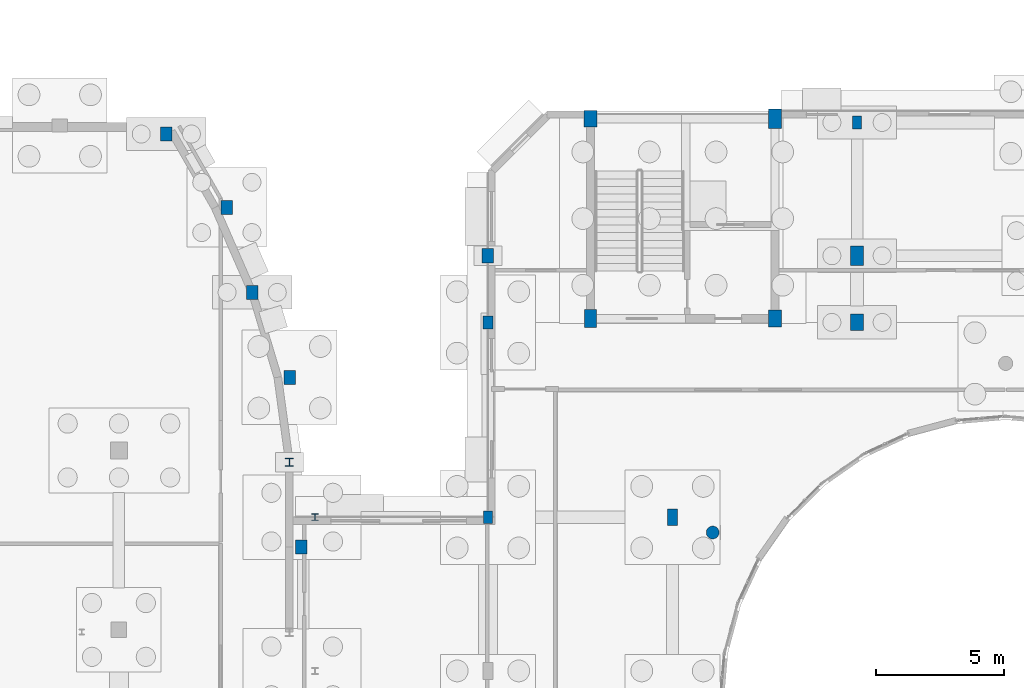
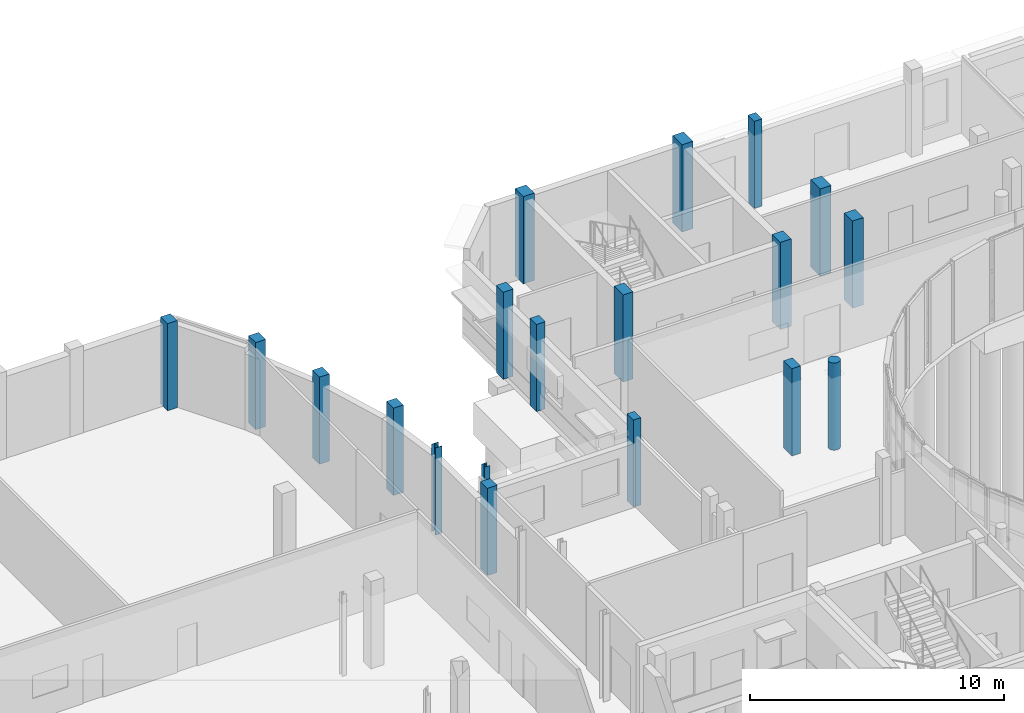
# One storey, part 19 of 93: 19 columns.
"""IFC4 building model written with IfcOpenShell, lengths in metres."""

from ifc_helpers import new_model, si_unit, direction, frame, origin, origin_2d, place, context, subcontext, project, spatial, rectangle, circle, i_section, extrude, material, material_profile, profile_set, type_object, element, save


model = new_model("IFC4")

# Units and contexts
model_context = context("Model", 3, precision=1e-05, world=origin(), true_north=direction((0.0, 1.0)))
body_context = subcontext(model_context, "Body", "Model", "MODEL_VIEW")
ifc_project = project(units=[si_unit("LENGTHUNIT", "METRE"), si_unit("AREAUNIT", "SQUARE_METRE"), si_unit("VOLUMEUNIT", "CUBIC_METRE"), si_unit("PLANEANGLEUNIT", "RADIAN"), si_unit("MASSUNIT", "GRAM", prefix="KILO")], contexts=[model_context])

# Site, building, storey
site_placement = place(None, origin())
site = spatial("IfcSite", under=ifc_project, at=site_placement, CompositionType="ELEMENT")
building_placement = place(site_placement, origin())
building = spatial("IfcBuilding", under=site, at=building_placement, Name="Kelanivale Promenade Academy", CompositionType="ELEMENT")
storey_placement = place(building_placement, origin())
storey = spatial("IfcBuildingStorey", under=building, at=storey_placement, Name="L00", CompositionType="ELEMENT", Elevation=0.0)

# Columns
ifc_material_1 = material(Name="Concrete C40/50", Category="concrete")
ifc_material_profile_1 = material_profile(ifc_material_1, rectangle(XDim=0.39990234375, YDim=0.64990234375, at=origin_2d()), Name="RC-COL 400x650")
ifc_profile_set_1 = profile_set([ifc_material_profile_1], Name="Concrete C40/50")
column_type_1 = type_object("IfcColumnType", Name="C-08 RC-COL 400x650", PredefinedType="COLUMN", material=ifc_profile_set_1)
column_1_placement = place(storey_placement, frame((50.39990234375, 64.0, 0.0), z_axis=(0.0, 0.0, 1.0), x_axis=(1.0, 0.0, 0.0)))
element("IfcColumn", 1, at=column_1_placement, inside=storey, type_object=column_type_1, Name="Column C-08 at (50.4, 64.0) L00", PredefinedType="COLUMN", context=body_context, shape_type="SweptSolid", body=[
    extrude(rectangle(XDim=0.39990234375, YDim=0.64990234375, at=origin_2d()), origin(), (0.0, 0.0, 1.0), 4.199951171875),
])
ifc_material_profile_2 = material_profile(ifc_material_1, rectangle(XDim=0.449951171875, YDim=0.699951171875, at=origin_2d()), Name="RC-COL 450x700")
ifc_profile_set_2 = profile_set([ifc_material_profile_2], Name="Concrete C40/50")
column_type_2 = type_object("IfcColumnType", Name="C-10 RC-COL 450x700", PredefinedType="COLUMN", material=ifc_profile_set_2)
column_2_placement = place(storey_placement, frame((47.199951171875, 71.75, 0.0), z_axis=(0.0, 0.0, 1.0), x_axis=(1.0, 0.0, 0.0)))
element("IfcColumn", 2, at=column_2_placement, inside=storey, type_object=column_type_2, Name="Column C-10 at (47.2, 71.8) L00", PredefinedType="COLUMN", context=body_context, shape_type="SweptSolid", body=[
    extrude(rectangle(XDim=0.449951171875, YDim=0.699951171875, at=origin_2d()), origin(), (0.0, 0.0, 1.0), 4.199951171875),
])
ifc_material_profile_3 = material_profile(ifc_material_1, rectangle(XDim=0.5, YDim=0.64990234375, at=origin_2d()), Name="RC-COL 500x650")
ifc_profile_set_3 = profile_set([ifc_material_profile_3], Name="Concrete C40/50")
column_type_3 = type_object("IfcColumnType", Name="C-11 RC-COL 500x650", PredefinedType="COLUMN", material=ifc_profile_set_3)
for number, where, z_axis, x_axis, name in (
    (3, (47.199951171875, 79.550048828125, 0.0), (0.0, 0.0, 1.0), (1.0, 0.0, 0.0), "Column C-11 at (47.2, 79.5) L00"),
    (4, (54.39990234375, 71.75, 0.0), (0.0, 0.0, 1.0), (1.0, 0.0, 0.0), "Column C-11 at (54.4, 71.8) L00"),
    (5, (57.60009765625, 71.60009765625, 0.0), (0.0, 0.0, 1.0), (1.0, 0.0, 0.0), "Column C-11 at (57.6, 71.6) L00"),
):
    element("IfcColumn", number, at=place(storey_placement, frame(where, z_axis=z_axis, x_axis=x_axis)), inside=storey, type_object=column_type_3, Name=name, PredefinedType="COLUMN", context=body_context, shape_type="SweptSolid", body=[
        extrude(rectangle(XDim=0.5, YDim=0.64990234375, at=origin_2d()), origin(), (0.0, 0.0, 1.0), 4.199951171875),
    ])
ifc_material_profile_4 = material_profile(ifc_material_1, rectangle(XDim=0.5, YDim=0.75, at=origin_2d()), Name="RC-COL 500x750")
ifc_profile_set_4 = profile_set([ifc_material_profile_4], Name="Concrete C40/50")
column_type_4 = type_object("IfcColumnType", Name="C-12 RC-COL 500x750", PredefinedType="COLUMN", material=ifc_profile_set_4)
for number, where, z_axis, x_axis, name in (
    (6, (54.39990234375, 79.550048828125, 0.0), (0.0, 0.0, 1.0), (1.0, 0.0, 0.0), "Column C-12 at (54.4, 79.5) L00"),
    (7, (57.60009765625, 74.199951171875, 0.0), (0.0, 0.0, 1.0), (1.0, 0.0, 0.0), "Column C-12 at (57.6, 74.2) L00"),
):
    element("IfcColumn", number, at=place(storey_placement, frame(where, z_axis=z_axis, x_axis=x_axis)), inside=storey, type_object=column_type_4, Name=name, PredefinedType="COLUMN", context=body_context, shape_type="SweptSolid", body=[
        extrude(rectangle(XDim=0.5, YDim=0.75, at=origin_2d()), origin(), (0.0, 0.0, 1.0), 4.199951171875),
    ])
ifc_material_profile_5 = material_profile(ifc_material_1, circle(Radius=0.25, at=origin_2d()), Name="RC-COL D500")
ifc_profile_set_5 = profile_set([ifc_material_profile_5], Name="Concrete C40/50")
column_type_5 = type_object("IfcColumnType", Name="CC-20 RC-COL D500", PredefinedType="COLUMN", material=ifc_profile_set_5)
column_3_placement = place(storey_placement, frame((51.968017578125, 63.39990234375, 0.0), z_axis=(0.0, 0.0, 1.0), x_axis=(1.0, 0.0, 0.0)))
element("IfcColumn", 8, at=column_3_placement, inside=storey, type_object=column_type_5, Name="Column CC-20 at (52.0, 63.4) L00", PredefinedType="COLUMN", context=body_context, shape_type="SweptSolid", body=[
    extrude(circle(Radius=0.25, at=origin_2d()), origin(), (0.0, 0.0, 1.0), 4.199951171875),
])
ifc_material_profile_6 = material_profile(ifc_material_1, rectangle(XDim=0.35009765625, YDim=0.5, at=origin_2d()), Name="RC-PIL 350x500")
ifc_profile_set_6 = profile_set([ifc_material_profile_6], Name="Concrete C40/50")
column_type_6 = type_object("IfcColumnType", Name="PL-15 RC-PIL 350x500", PredefinedType="PILASTER", material=ifc_profile_set_6)
for number, where, z_axis, x_axis, name in (
    (9, (43.199951171875, 64.0, 0.0), (0.0, 0.0, 1.0), (1.0, 0.0, 0.0), "Column PL-15 at (43.2, 64.0) L00"),
    (10, (57.60009765625, 79.39990234375, 0.0), (0.0, 0.0, 1.0), (1.0, 0.0, 0.0), "Column PL-15 at (57.6, 79.4) L00"),
):
    element("IfcColumn", number, at=place(storey_placement, frame(where, z_axis=z_axis, x_axis=x_axis)), inside=storey, type_object=column_type_6, Name=name, PredefinedType="PILASTER", context=body_context, shape_type="SweptSolid", body=[
        extrude(rectangle(XDim=0.35009765625, YDim=0.5, at=origin_2d()), origin(), (0.0, 0.0, 1.0), 4.199951171875),
    ])
ifc_material_profile_7 = material_profile(ifc_material_1, rectangle(XDim=0.39990234375, YDim=0.5, at=origin_2d()), Name="RC-PIL 400x500")
ifc_profile_set_7 = profile_set([ifc_material_profile_7], Name="Concrete C40/50")
column_type_7 = type_object("IfcColumnType", Name="PL-16 RC-PIL 400x500", PredefinedType="PILASTER", material=ifc_profile_set_7)
column_4_placement = place(storey_placement, frame((43.199951171875, 71.60009765625, 0.0), z_axis=(0.0, 0.0, 1.0), x_axis=(1.0, 0.0, 0.0)))
element("IfcColumn", 11, at=column_4_placement, inside=storey, type_object=column_type_7, Name="Column PL-16 at (43.2, 71.6) L00", PredefinedType="PILASTER", context=body_context, shape_type="SweptSolid", body=[
    extrude(rectangle(XDim=0.39990234375, YDim=0.5, at=origin_2d()), origin(), (0.0, 0.0, 1.0), 4.199951171875),
])
ifc_material_profile_8 = material_profile(ifc_material_1, rectangle(XDim=0.449951171875, YDim=0.550048828125, at=origin_2d()), Name="RC-PIL 450x550")
ifc_profile_set_8 = profile_set([ifc_material_profile_8], Name="Concrete C40/50")
column_type_8 = type_object("IfcColumnType", Name="PL-17 RC-PIL 450x550", PredefinedType="PILASTER", material=ifc_profile_set_8)
for number, where, z_axis, x_axis, name in (
    (12, (30.64990234375, 78.949951171875, 0.0), (0.0, 0.0, 1.0), (1.0, 0.0, 0.0), "Column PL-17 at (30.6, 79.0) L00"),
    (13, (33.010009765625, 76.0859375, 0.0), (0.0, 0.0, 1.0), (1.0, 0.0, 0.0), "Column PL-17 at (33.0, 76.1) L00"),
    (14, (34.0, 72.77099609375, 0.0), (0.0, 0.0, 1.0), (1.0, 0.0, 0.0), "Column PL-17 at (34.0, 72.8) L00"),
    (15, (35.4599609375, 69.45703125, 0.0), (0.0, 0.0, 1.0), (1.0, 0.0, 0.0), "Column PL-17 at (35.5, 69.5) L00"),
    (16, (35.909912109375, 62.8291015625, 0.0), (0.0, 0.0, 1.0), (1.0, 0.0, 0.0), "Column PL-17 at (35.9, 62.8) L00"),
    (17, (43.199951171875, 74.199951171875, 0.0), (0.0, 0.0, 1.0), (1.0, 0.0, 0.0), "Column PL-17 at (43.2, 74.2) L00"),
):
    element("IfcColumn", number, at=place(storey_placement, frame(where, z_axis=z_axis, x_axis=x_axis)), inside=storey, type_object=column_type_8, Name=name, PredefinedType="PILASTER", context=body_context, shape_type="SweptSolid", body=[
        extrude(rectangle(XDim=0.449951171875, YDim=0.550048828125, at=origin_2d()), origin(), (0.0, 0.0, 1.0), 4.199951171875),
    ])
ifc_material_2 = material(Name="Steel S355", Category="steel")
ifc_material_profile_9 = material_profile(ifc_material_2, i_section(OverallWidth=0.254638671875, OverallDepth=0.254150390625, WebThickness=0.008544921875, FlangeThickness=0.01416015625, FilletRadius=0.0126953125, at=origin_2d()), Name="UC 254x254x73")
ifc_profile_set_9 = profile_set([ifc_material_profile_9], Name="Steel S355")
column_type_9 = type_object("IfcColumnType", Name="SC-02 UC 254x254x73", PredefinedType="COLUMN", material=ifc_profile_set_9)
column_5_placement = place(storey_placement, frame((36.449951171875, 64.0, 0.0), z_axis=(0.0, 0.0, 1.0), x_axis=(1.0, 0.0, 0.0)))
element("IfcColumn", 18, at=column_5_placement, inside=storey, type_object=column_type_9, Name="Column SC-02 at (36.5, 64.0) L00", PredefinedType="COLUMN", context=body_context, shape_type="SweptSolid", body=[
    extrude(i_section(OverallWidth=0.254638671875, OverallDepth=0.254150390625, WebThickness=0.008544921875, FlangeThickness=0.01416015625, FilletRadius=0.0126953125, at=origin_2d()), origin(), (0.0, 0.0, 1.0), 4.199951171875),
])
ifc_material_profile_10 = material_profile(ifc_material_2, i_section(OverallWidth=0.307373046875, OverallDepth=0.314453125, WebThickness=0.011962890625, FlangeThickness=0.018798828125, FilletRadius=0.01513671875, at=origin_2d()), Name="UC 305x305x118")
ifc_profile_set_10 = profile_set([ifc_material_profile_10], Name="Steel S355")
column_type_10 = type_object("IfcColumnType", Name="SC-04 UC 305x305x118", PredefinedType="COLUMN", material=ifc_profile_set_10)
column_6_placement = place(storey_placement, frame((35.449951171875, 66.14306640625, 0.0), z_axis=(0.0, 0.0, 1.0), x_axis=(1.0, 0.0, 0.0)))
element("IfcColumn", 19, at=column_6_placement, inside=storey, type_object=column_type_10, Name="Column SC-04 at (35.5, 66.1) L00", PredefinedType="COLUMN", context=body_context, shape_type="SweptSolid", body=[
    extrude(i_section(OverallWidth=0.307373046875, OverallDepth=0.314453125, WebThickness=0.011962890625, FlangeThickness=0.018798828125, FilletRadius=0.01513671875, at=origin_2d()), origin(), (0.0, 0.0, 1.0), 4.199951171875),
])

save(model, "model.ifc")
